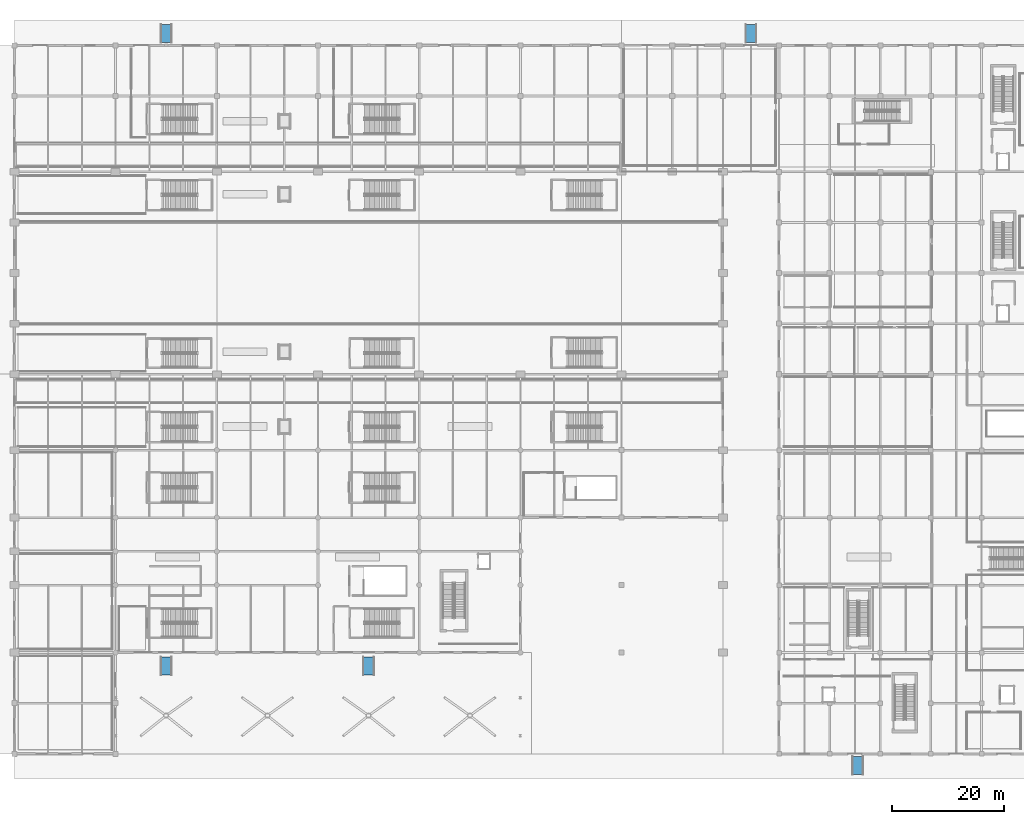
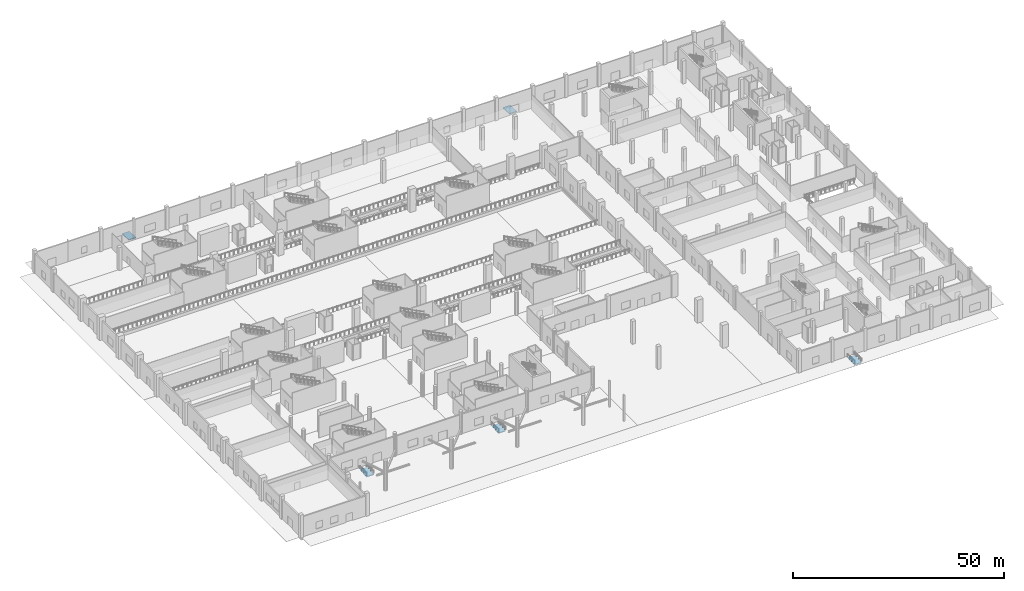
# One storey, part 32 of 65: 5 ramp flights, 5 elements without a shape of their own.
"""IFC4 building model written with IfcOpenShell, lengths in metres."""

from ifc_helpers import new_model, si_unit, direction, frame, origin, place, context, subcontext, project, spatial, polyline, outline, extrude, material, layer, layer_set, type_object, element, aggregate, save


model = new_model("IFC4")

# Units and contexts
model_context = context("Model", 3, precision=1e-05, world=origin(), true_north=direction((0.0, 1.0)))
body_context = subcontext(model_context, "Body", "Model", "MODEL_VIEW")
ifc_project = project(units=[si_unit("LENGTHUNIT", "METRE"), si_unit("AREAUNIT", "SQUARE_METRE"), si_unit("VOLUMEUNIT", "CUBIC_METRE"), si_unit("PLANEANGLEUNIT", "RADIAN"), si_unit("MASSUNIT", "GRAM", prefix="KILO")], contexts=[model_context])

# Site, building, storey
site_placement = place(None, origin())
site = spatial("IfcSite", under=ifc_project, at=site_placement, CompositionType="ELEMENT")
building_placement = place(site_placement, origin())
building = spatial("IfcBuilding", under=site, at=building_placement, Name="Chuanluo Vaults Station", CompositionType="ELEMENT")
storey_placement = place(building_placement, origin())
storey = spatial("IfcBuildingStorey", under=building, at=storey_placement, Name="L00", CompositionType="ELEMENT", Elevation=0.0)

# Ramp, ramp flight
ifc_material_1 = material(Name="Concrete C40", Category="concrete")
ramp_type = type_object("IfcRampType", Name="RMP-ACC-12", PredefinedType="STRAIGHT_RUN_RAMP", material=ifc_material_1)
ramp_1_placement = place(storey_placement, origin())
ramp_1 = element("IfcRamp", 1, at=ramp_1_placement, inside=storey, type_object=ramp_type, Name="Accessible entrance ramp RM-A1", PredefinedType="STRAIGHT_RUN_RAMP")
ifc_material_2 = material(Name="Concrete C40", Category="concrete")
ifc_layer = layer(ifc_material_2, 0.219970703125)
ifc_layer_set = layer_set([ifc_layer], Name="Concrete C40")
ramp_flight_type = type_object("IfcRampFlightType", Name="RFL-ACC-STR", PredefinedType="STRAIGHT", material=ifc_layer_set)
ramp_flight_1_placement = place(storey_placement, frame((27.0, 14.0, -0.179931640625), z_axis=(0.0, 0.0, 1.0), x_axis=(0.0, 1.0, 0.0)))
ramp_flight_1 = element("IfcRampFlight", 2, at=ramp_flight_1_placement, type_object=ramp_flight_type, Name="Accessible entrance ramp flight RM-A1", PredefinedType="STRAIGHT", context=body_context, shape_type="SweptSolid", body=[
    extrude(outline(polyline([(0.0, 0.0), (3.199951171875, 0.179931640625), (3.199951171875, -0.0400390625), (0.0, -0.219970703125), (0.0, 0.0)])), frame((0.0, 1.0, 0.0), z_axis=(0.0, -1.0, 0.0), x_axis=(1.0, 0.0, 0.0)), (0.0, 0.0, 1.0), 2.0),
])
aggregate(ramp_1, [ramp_flight_1])

ramp_2_placement = place(storey_placement, origin())
ramp_2 = element("IfcRamp", 3, at=ramp_2_placement, inside=storey, type_object=ramp_type, Name="Accessible entrance ramp RM-A2", PredefinedType="STRAIGHT_RUN_RAMP")
ramp_flight_2_placement = place(storey_placement, frame((63.0, 14.0, -0.179931640625), z_axis=(0.0, 0.0, 1.0), x_axis=(0.0, 1.0, 0.0)))
ramp_flight_2 = element("IfcRampFlight", 4, at=ramp_flight_2_placement, type_object=ramp_flight_type, Name="Accessible entrance ramp flight RM-A2", PredefinedType="STRAIGHT", context=body_context, shape_type="SweptSolid", body=[
    extrude(outline(polyline([(0.0, 0.0), (3.199951171875, 0.179931640625), (3.199951171875, -0.0400390625), (0.0, -0.219970703125), (0.0, 0.0)])), frame((0.0, 1.0, 0.0), z_axis=(0.0, -1.0, 0.0), x_axis=(1.0, 0.0, 0.0)), (0.0, 0.0, 1.0), 2.0),
])
aggregate(ramp_2, [ramp_flight_2])

ramp_3_placement = place(storey_placement, origin())
ramp_3 = element("IfcRamp", 5, at=ramp_3_placement, inside=storey, type_object=ramp_type, Name="Accessible entrance ramp RM-A3", PredefinedType="STRAIGHT_RUN_RAMP")
ramp_flight_3_placement = place(storey_placement, frame((150.0, -3.699951171875, -0.179931640625), z_axis=(0.0, 0.0, 1.0), x_axis=(0.0, 1.0, 0.0)))
ramp_flight_3 = element("IfcRampFlight", 6, at=ramp_flight_3_placement, type_object=ramp_flight_type, Name="Accessible entrance ramp flight RM-A3", PredefinedType="STRAIGHT", context=body_context, shape_type="SweptSolid", body=[
    extrude(outline(polyline([(0.0, 0.0), (3.199951171875, 0.179931640625), (3.199951171875, -0.0400390625), (0.0, -0.219970703125), (0.0, 0.0)])), frame((0.0, 1.0, 0.0), z_axis=(0.0, -1.0, 0.0), x_axis=(1.0, 0.0, 0.0)), (0.0, 0.0, 1.0), 2.0),
])
aggregate(ramp_3, [ramp_flight_3])

ramp_4_placement = place(storey_placement, origin())
ramp_4 = element("IfcRamp", 7, at=ramp_4_placement, inside=storey, type_object=ramp_type, Name="Accessible entrance ramp RM-A4", PredefinedType="STRAIGHT_RUN_RAMP")
ramp_flight_4_placement = place(storey_placement, frame((131.0, 129.699951171875, -0.179931640625), z_axis=(0.0, 0.0, 1.0), x_axis=(0.0, -1.0, 0.0)))
ramp_flight_4 = element("IfcRampFlight", 8, at=ramp_flight_4_placement, type_object=ramp_flight_type, Name="Accessible entrance ramp flight RM-A4", PredefinedType="STRAIGHT", context=body_context, shape_type="SweptSolid", body=[
    extrude(outline(polyline([(0.0, 0.0), (3.199951171875, 0.179931640625), (3.199951171875, -0.0400390625), (0.0, -0.219970703125), (0.0, 0.0)])), frame((0.0, 1.0, 0.0), z_axis=(0.0, -1.0, 0.0), x_axis=(1.0, 0.0, 0.0)), (0.0, 0.0, 1.0), 2.0),
])
aggregate(ramp_4, [ramp_flight_4])

ramp_5_placement = place(storey_placement, origin())
ramp_5 = element("IfcRamp", 9, at=ramp_5_placement, inside=storey, type_object=ramp_type, Name="Accessible entrance ramp RM-A5", PredefinedType="STRAIGHT_RUN_RAMP")
ramp_flight_5_placement = place(storey_placement, frame((27.0, 129.699951171875, -0.179931640625), z_axis=(0.0, 0.0, 1.0), x_axis=(0.0, -1.0, 0.0)))
ramp_flight_5 = element("IfcRampFlight", 10, at=ramp_flight_5_placement, type_object=ramp_flight_type, Name="Accessible entrance ramp flight RM-A5", PredefinedType="STRAIGHT", context=body_context, shape_type="SweptSolid", body=[
    extrude(outline(polyline([(0.0, 0.0), (3.199951171875, 0.179931640625), (3.199951171875, -0.0400390625), (0.0, -0.219970703125), (0.0, 0.0)])), frame((0.0, 1.0, 0.0), z_axis=(0.0, -1.0, 0.0), x_axis=(1.0, 0.0, 0.0)), (0.0, 0.0, 1.0), 2.0),
])
aggregate(ramp_5, [ramp_flight_5])

save(model, "model.ifc")
